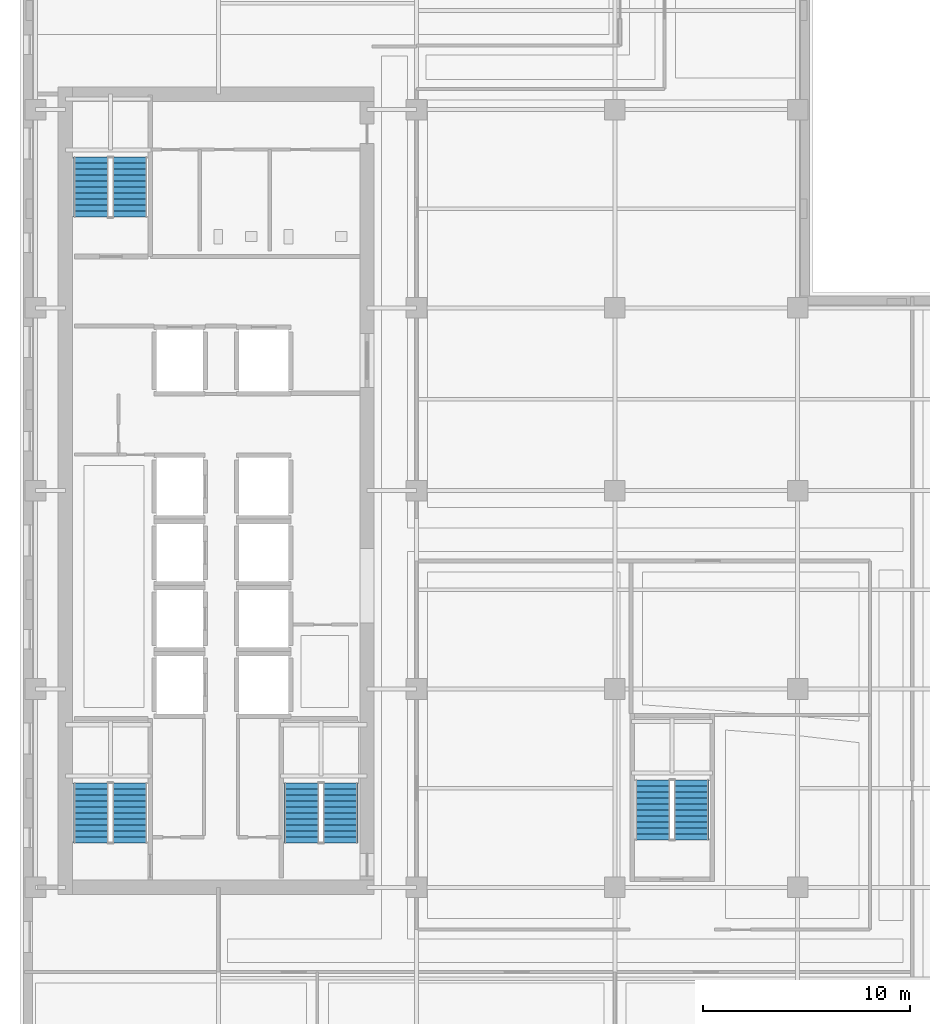
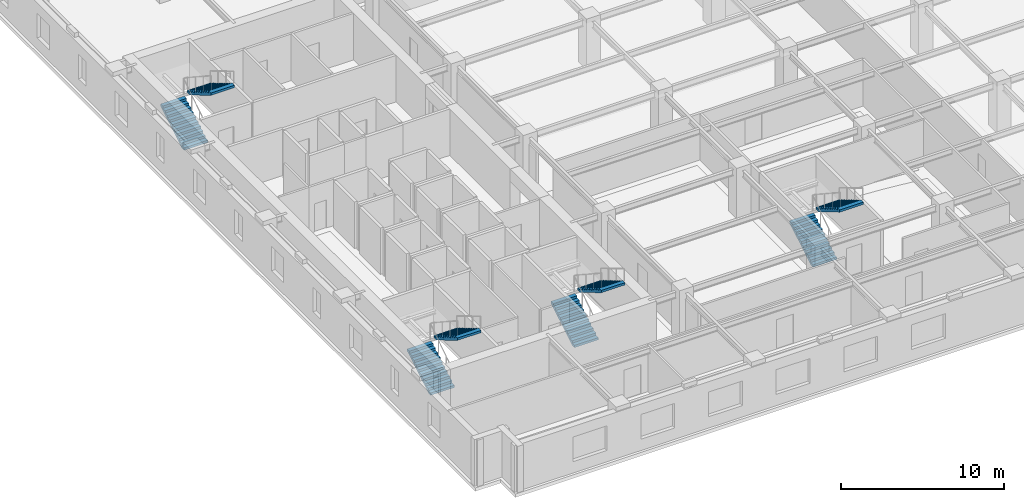
# One storey, part 7 of 12: 8 stair flights, 4 elements without a shape of their own.
"""IFC4 building model written with IfcOpenShell, lengths in metres."""

from ifc_helpers import new_model, si_unit, direction, frame, origin, place, context, subcontext, project, spatial, polyline, outline, extrude, material, type_object, element, aggregate, save


model = new_model("IFC4")

# Units and contexts
model_context = context("Model", 3, precision=1e-05, world=origin(), true_north=direction((0.0, 1.0)))
body_context = subcontext(model_context, "Body", "Model", "MODEL_VIEW")
ifc_project = project(units=[si_unit("LENGTHUNIT", "METRE"), si_unit("AREAUNIT", "SQUARE_METRE"), si_unit("VOLUMEUNIT", "CUBIC_METRE"), si_unit("PLANEANGLEUNIT", "RADIAN"), si_unit("MASSUNIT", "GRAM", prefix="KILO")], contexts=[model_context])

# Site, building, storey
site_placement = place(None, origin())
site = spatial("IfcSite", under=ifc_project, at=site_placement, CompositionType="ELEMENT")
building_placement = place(site_placement, origin())
building = spatial("IfcBuilding", under=site, at=building_placement, Name="Norrvale University Quadrangle", CompositionType="ELEMENT")
storey_placement = place(building_placement, frame((0.0, 0.0, 147.0)))
storey = spatial("IfcBuildingStorey", under=building, at=storey_placement, Name="L37", CompositionType="ELEMENT", Elevation=147.0)

# Stair, stair flights
ifc_material = material(Name="Concrete C40/50", Category="concrete")
stair_type = type_object("IfcStairType", Name="Stair Tower Typ 3800", PredefinedType="TWO_STRAIGHT_RUN_STAIR", material=ifc_material)
stair_1_placement = place(storey_placement, origin())
stair_1 = element("IfcStair", 1, at=stair_1_placement, inside=storey, type_object=stair_type, Name="Exit Stair ST-01 L37", PredefinedType="TWO_STRAIGHT_RUN_STAIR")
stair_flight_type = type_object("IfcStairFlightType", Name="Flight Typ 1500", PredefinedType="STRAIGHT", material=ifc_material)
stair_flight_1_placement = place(storey_placement, frame((3.429931640625, 11.75, 0.0), z_axis=(0.0, 0.0, 1.0), x_axis=(0.0, 1.0, 0.0)))
stair_flight_1 = element("IfcStairFlight", 2, at=stair_flight_1_placement, type_object=stair_flight_type, Name="Exit Stair ST-01 L37 Lower Flight", NumberOfRisers=11, NumberOfTreads=10, PredefinedType="STRAIGHT", RiserHeight=0.172727, TreadLength=0.29, context=body_context, shape_type="SweptSolid", body=[
    extrude(outline(polyline([(0.0, 0.0), (0.0, 0.172607421875), (0.2900390625, 0.172607421875), (0.2900390625, 0.345458984375), (0.580078125, 0.345458984375), (0.580078125, 0.51806640625), (0.8701171875, 0.51806640625), (0.8701171875, 0.69091796875), (1.159912109375, 0.69091796875), (1.159912109375, 0.863525390625), (1.449951171875, 0.863525390625), (1.449951171875, 1.036376953125), (1.739990234375, 1.036376953125), (1.739990234375, 1.208984375), (2.030029296875, 1.208984375), (2.030029296875, 1.3818359375), (2.320068359375, 1.3818359375), (2.320068359375, 1.554443359375), (2.610107421875, 1.554443359375), (2.610107421875, 1.727294921875), (2.89990234375, 1.727294921875), (2.89990234375, 1.89990234375), (2.89990234375, 1.552734375), (0.29296875, 0.0), (0.0, 0.0)])), frame((0.0, 0.83984375, 0.0), z_axis=(0.0, -1.0, 0.0), x_axis=(1.0, 0.0, 0.0)), (0.0, 0.0, 1.0), 1.679931640625),
])
stair_flight_2_placement = place(storey_placement, frame((5.320068359375, 14.64990234375, 1.89990234375), z_axis=(0.0, 0.0, 1.0), x_axis=(0.0, -1.0, 0.0)))
stair_flight_2 = element("IfcStairFlight", 3, at=stair_flight_2_placement, type_object=stair_flight_type, Name="Exit Stair ST-01 L37 Upper Flight", NumberOfRisers=11, NumberOfTreads=10, PredefinedType="STRAIGHT", RiserHeight=0.172727, TreadLength=0.29, context=body_context, shape_type="SweptSolid", body=[
    extrude(outline(polyline([(0.0, 0.0), (0.0, 0.172607421875), (0.2900390625, 0.172607421875), (0.2900390625, 0.345458984375), (0.580078125, 0.345458984375), (0.580078125, 0.51806640625), (0.8701171875, 0.51806640625), (0.8701171875, 0.69091796875), (1.159912109375, 0.69091796875), (1.159912109375, 0.863525390625), (1.449951171875, 0.863525390625), (1.449951171875, 1.036376953125), (1.739990234375, 1.036376953125), (1.739990234375, 1.208984375), (2.030029296875, 1.208984375), (2.030029296875, 1.3818359375), (2.320068359375, 1.3818359375), (2.320068359375, 1.554443359375), (2.610107421875, 1.554443359375), (2.610107421875, 1.727294921875), (2.89990234375, 1.727294921875), (2.89990234375, 1.89990234375), (2.89990234375, 1.552734375), (0.29296875, 0.0), (0.0, 0.0)])), frame((0.0, 0.83984375, 0.0), z_axis=(0.0, -1.0, 0.0), x_axis=(1.0, 0.0, 0.0)), (0.0, 0.0, 1.0), 1.679931640625),
])
aggregate(stair_1, [stair_flight_1, stair_flight_2])

stair_2_placement = place(storey_placement, origin())
stair_2 = element("IfcStair", 4, at=stair_2_placement, inside=storey, type_object=stair_type, Name="Exit Stair ST-02 L37", PredefinedType="TWO_STRAIGHT_RUN_STAIR")
stair_flight_3_placement = place(storey_placement, frame((3.429931640625, 42.050048828125, 0.0), z_axis=(0.0, 0.0, 1.0), x_axis=(0.0, 1.0, 0.0)))
stair_flight_3 = element("IfcStairFlight", 5, at=stair_flight_3_placement, type_object=stair_flight_type, Name="Exit Stair ST-02 L37 Lower Flight", NumberOfRisers=11, NumberOfTreads=10, PredefinedType="STRAIGHT", RiserHeight=0.172727, TreadLength=0.29, context=body_context, shape_type="SweptSolid", body=[
    extrude(outline(polyline([(0.0, 0.0), (0.0, 0.172607421875), (0.2900390625, 0.172607421875), (0.2900390625, 0.345458984375), (0.580078125, 0.345458984375), (0.580078125, 0.51806640625), (0.8701171875, 0.51806640625), (0.8701171875, 0.69091796875), (1.159912109375, 0.69091796875), (1.159912109375, 0.863525390625), (1.449951171875, 0.863525390625), (1.449951171875, 1.036376953125), (1.739990234375, 1.036376953125), (1.739990234375, 1.208984375), (2.030029296875, 1.208984375), (2.030029296875, 1.3818359375), (2.320068359375, 1.3818359375), (2.320068359375, 1.554443359375), (2.610107421875, 1.554443359375), (2.610107421875, 1.727294921875), (2.89990234375, 1.727294921875), (2.89990234375, 1.89990234375), (2.89990234375, 1.552734375), (0.29296875, 0.0), (0.0, 0.0)])), frame((0.0, 0.83984375, 0.0), z_axis=(0.0, -1.0, 0.0), x_axis=(1.0, 0.0, 0.0)), (0.0, 0.0, 1.0), 1.679931640625),
])
stair_flight_4_placement = place(storey_placement, frame((5.320068359375, 44.949951171875, 1.89990234375), z_axis=(0.0, 0.0, 1.0), x_axis=(0.0, -1.0, 0.0)))
stair_flight_4 = element("IfcStairFlight", 6, at=stair_flight_4_placement, type_object=stair_flight_type, Name="Exit Stair ST-02 L37 Upper Flight", NumberOfRisers=11, NumberOfTreads=10, PredefinedType="STRAIGHT", RiserHeight=0.172727, TreadLength=0.29, context=body_context, shape_type="SweptSolid", body=[
    extrude(outline(polyline([(0.0, 0.0), (0.0, 0.172607421875), (0.2900390625, 0.172607421875), (0.2900390625, 0.345458984375), (0.580078125, 0.345458984375), (0.580078125, 0.51806640625), (0.8701171875, 0.51806640625), (0.8701171875, 0.69091796875), (1.159912109375, 0.69091796875), (1.159912109375, 0.863525390625), (1.449951171875, 0.863525390625), (1.449951171875, 1.036376953125), (1.739990234375, 1.036376953125), (1.739990234375, 1.208984375), (2.030029296875, 1.208984375), (2.030029296875, 1.3818359375), (2.320068359375, 1.3818359375), (2.320068359375, 1.554443359375), (2.610107421875, 1.554443359375), (2.610107421875, 1.727294921875), (2.89990234375, 1.727294921875), (2.89990234375, 1.89990234375), (2.89990234375, 1.552734375), (0.29296875, 0.0), (0.0, 0.0)])), frame((0.0, 0.83984375, 0.0), z_axis=(0.0, -1.0, 0.0), x_axis=(1.0, 0.0, 0.0)), (0.0, 0.0, 1.0), 1.679931640625),
])
aggregate(stair_2, [stair_flight_3, stair_flight_4])

stair_3_placement = place(storey_placement, origin())
stair_3 = element("IfcStair", 7, at=stair_3_placement, inside=storey, type_object=stair_type, Name="Exit Stair ST-03 L37", PredefinedType="TWO_STRAIGHT_RUN_STAIR")
stair_flight_5_placement = place(storey_placement, frame((13.6298828125, 11.75, 0.0), z_axis=(0.0, 0.0, 1.0), x_axis=(0.0, 1.0, 0.0)))
stair_flight_5 = element("IfcStairFlight", 8, at=stair_flight_5_placement, type_object=stair_flight_type, Name="Exit Stair ST-03 L37 Lower Flight", NumberOfRisers=11, NumberOfTreads=10, PredefinedType="STRAIGHT", RiserHeight=0.172727, TreadLength=0.29, context=body_context, shape_type="SweptSolid", body=[
    extrude(outline(polyline([(0.0, 0.0), (0.0, 0.172607421875), (0.2900390625, 0.172607421875), (0.2900390625, 0.345458984375), (0.580078125, 0.345458984375), (0.580078125, 0.51806640625), (0.8701171875, 0.51806640625), (0.8701171875, 0.69091796875), (1.159912109375, 0.69091796875), (1.159912109375, 0.863525390625), (1.449951171875, 0.863525390625), (1.449951171875, 1.036376953125), (1.739990234375, 1.036376953125), (1.739990234375, 1.208984375), (2.030029296875, 1.208984375), (2.030029296875, 1.3818359375), (2.320068359375, 1.3818359375), (2.320068359375, 1.554443359375), (2.610107421875, 1.554443359375), (2.610107421875, 1.727294921875), (2.89990234375, 1.727294921875), (2.89990234375, 1.89990234375), (2.89990234375, 1.552734375), (0.29296875, 0.0), (0.0, 0.0)])), frame((0.0, 0.83984375, 0.0), z_axis=(0.0, -1.0, 0.0), x_axis=(1.0, 0.0, 0.0)), (0.0, 0.0, 1.0), 1.679931640625),
])
stair_flight_6_placement = place(storey_placement, frame((15.52001953125, 14.64990234375, 1.89990234375), z_axis=(0.0, 0.0, 1.0), x_axis=(0.0, -1.0, 0.0)))
stair_flight_6 = element("IfcStairFlight", 9, at=stair_flight_6_placement, type_object=stair_flight_type, Name="Exit Stair ST-03 L37 Upper Flight", NumberOfRisers=11, NumberOfTreads=10, PredefinedType="STRAIGHT", RiserHeight=0.172727, TreadLength=0.29, context=body_context, shape_type="SweptSolid", body=[
    extrude(outline(polyline([(0.0, 0.0), (0.0, 0.172607421875), (0.2900390625, 0.172607421875), (0.2900390625, 0.345458984375), (0.580078125, 0.345458984375), (0.580078125, 0.51806640625), (0.8701171875, 0.51806640625), (0.8701171875, 0.69091796875), (1.159912109375, 0.69091796875), (1.159912109375, 0.863525390625), (1.449951171875, 0.863525390625), (1.449951171875, 1.036376953125), (1.739990234375, 1.036376953125), (1.739990234375, 1.208984375), (2.030029296875, 1.208984375), (2.030029296875, 1.3818359375), (2.320068359375, 1.3818359375), (2.320068359375, 1.554443359375), (2.610107421875, 1.554443359375), (2.610107421875, 1.727294921875), (2.89990234375, 1.727294921875), (2.89990234375, 1.89990234375), (2.89990234375, 1.552734375), (0.29296875, 0.0), (0.0, 0.0)])), frame((0.0, 0.83984375, 0.0), z_axis=(0.0, -1.0, 0.0), x_axis=(1.0, 0.0, 0.0)), (0.0, 0.0, 1.0), 1.679931640625),
])
aggregate(stair_3, [stair_flight_5, stair_flight_6])

stair_4_placement = place(storey_placement, origin())
stair_4 = element("IfcStair", 10, at=stair_4_placement, inside=storey, type_object=stair_type, Name="Exit Stair ST-04 L37", PredefinedType="TWO_STRAIGHT_RUN_STAIR")
stair_flight_7_placement = place(storey_placement, frame((30.6298828125, 11.89990234375, 0.0), z_axis=(0.0, 0.0, 1.0), x_axis=(0.0, 1.0, 0.0)))
stair_flight_7 = element("IfcStairFlight", 11, at=stair_flight_7_placement, type_object=stair_flight_type, Name="Exit Stair ST-04 L37 Lower Flight", NumberOfRisers=11, NumberOfTreads=10, PredefinedType="STRAIGHT", RiserHeight=0.172727, TreadLength=0.29, context=body_context, shape_type="SweptSolid", body=[
    extrude(outline(polyline([(0.0, 0.0), (0.0, 0.172607421875), (0.2900390625, 0.172607421875), (0.2900390625, 0.345458984375), (0.580078125, 0.345458984375), (0.580078125, 0.51806640625), (0.8701171875, 0.51806640625), (0.8701171875, 0.69091796875), (1.159912109375, 0.69091796875), (1.159912109375, 0.863525390625), (1.449951171875, 0.863525390625), (1.449951171875, 1.036376953125), (1.739990234375, 1.036376953125), (1.739990234375, 1.208984375), (2.030029296875, 1.208984375), (2.030029296875, 1.3818359375), (2.320068359375, 1.3818359375), (2.320068359375, 1.554443359375), (2.610107421875, 1.554443359375), (2.610107421875, 1.727294921875), (2.89990234375, 1.727294921875), (2.89990234375, 1.89990234375), (2.89990234375, 1.552734375), (0.29296875, 0.0), (0.0, 0.0)])), frame((0.0, 0.83984375, 0.0), z_axis=(0.0, -1.0, 0.0), x_axis=(1.0, 0.0, 0.0)), (0.0, 0.0, 1.0), 1.679931640625),
])
stair_flight_8_placement = place(storey_placement, frame((32.52001953125, 14.800048828125, 1.89990234375), z_axis=(0.0, 0.0, 1.0), x_axis=(0.0, -1.0, 0.0)))
stair_flight_8 = element("IfcStairFlight", 12, at=stair_flight_8_placement, type_object=stair_flight_type, Name="Exit Stair ST-04 L37 Upper Flight", NumberOfRisers=11, NumberOfTreads=10, PredefinedType="STRAIGHT", RiserHeight=0.172727, TreadLength=0.29, context=body_context, shape_type="SweptSolid", body=[
    extrude(outline(polyline([(0.0, 0.0), (0.0, 0.172607421875), (0.2900390625, 0.172607421875), (0.2900390625, 0.345458984375), (0.580078125, 0.345458984375), (0.580078125, 0.51806640625), (0.8701171875, 0.51806640625), (0.8701171875, 0.69091796875), (1.159912109375, 0.69091796875), (1.159912109375, 0.863525390625), (1.449951171875, 0.863525390625), (1.449951171875, 1.036376953125), (1.739990234375, 1.036376953125), (1.739990234375, 1.208984375), (2.030029296875, 1.208984375), (2.030029296875, 1.3818359375), (2.320068359375, 1.3818359375), (2.320068359375, 1.554443359375), (2.610107421875, 1.554443359375), (2.610107421875, 1.727294921875), (2.89990234375, 1.727294921875), (2.89990234375, 1.89990234375), (2.89990234375, 1.552734375), (0.29296875, 0.0), (0.0, 0.0)])), frame((0.0, 0.83984375, 0.0), z_axis=(0.0, -1.0, 0.0), x_axis=(1.0, 0.0, 0.0)), (0.0, 0.0, 1.0), 1.679931640625),
])
aggregate(stair_4, [stair_flight_7, stair_flight_8])

save(model, "model.ifc")
